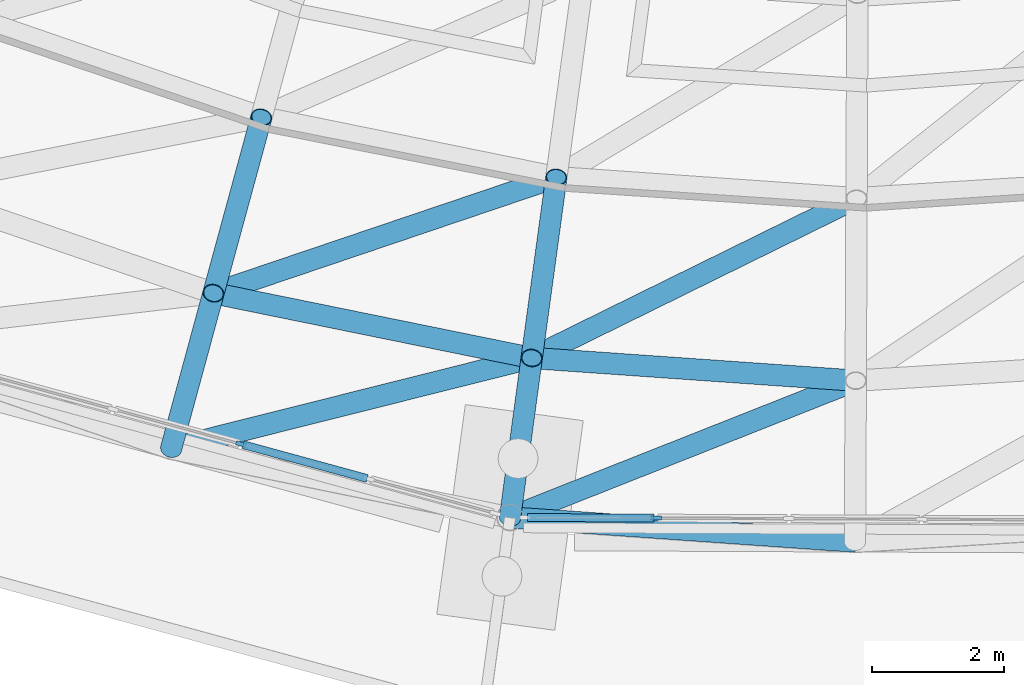
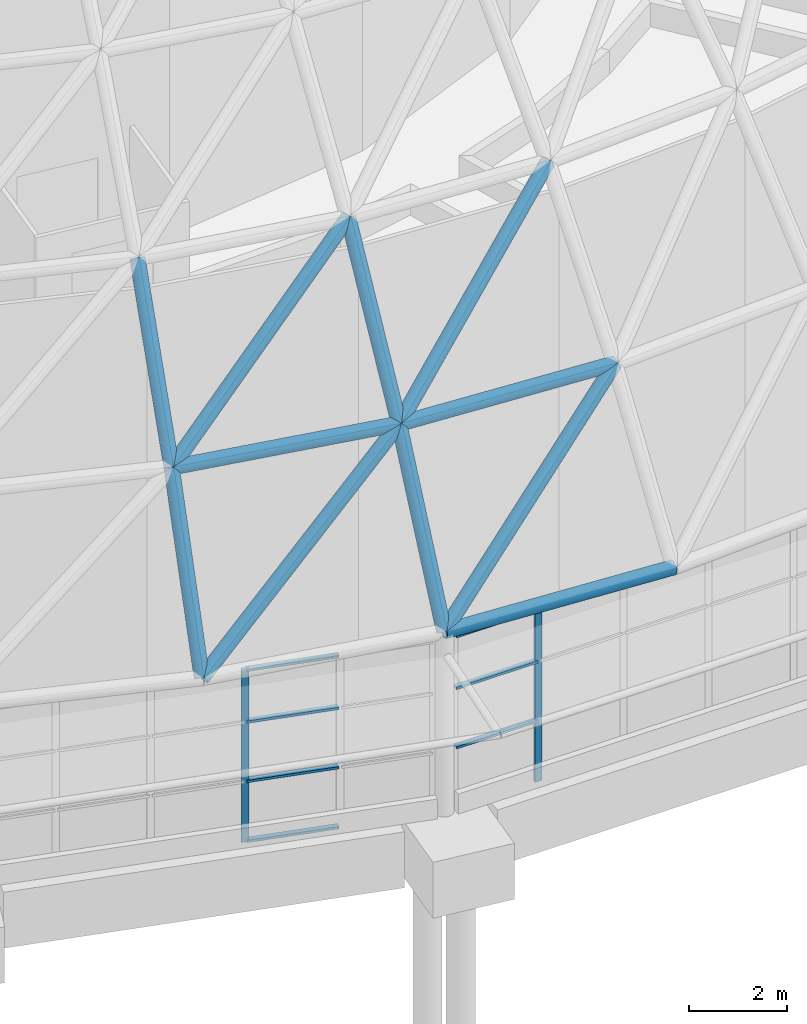
# One storey, part 59 of 226: 20 members, 2 elements without a shape of their own.
"""IFC4 building model written with IfcOpenShell, lengths in metres."""

from ifc_helpers import new_model, si_unit, direction, frame, origin, origin_2d, place, context, subcontext, project, spatial, rectangle, hollow_circle, extrude, material, material_profile, profile_set, type_object, element, aggregate, save


model = new_model("IFC4")

# Units and contexts
model_context = context("Model", 3, precision=1e-05, world=origin(), true_north=direction((0.0, 1.0)))
body_context = subcontext(model_context, "Body", "Model", "MODEL_VIEW")
ifc_project = project(units=[si_unit("LENGTHUNIT", "METRE"), si_unit("AREAUNIT", "SQUARE_METRE"), si_unit("VOLUMEUNIT", "CUBIC_METRE"), si_unit("PLANEANGLEUNIT", "RADIAN"), si_unit("MASSUNIT", "GRAM", prefix="KILO")], contexts=[model_context])

# Site, building, storey
site_placement = place(None, origin())
site = spatial("IfcSite", under=ifc_project, at=site_placement, CompositionType="ELEMENT")
building_placement = place(site_placement, origin())
building = spatial("IfcBuilding", under=site, at=building_placement, Name="Ceibo Conservatory and Research Tower", CompositionType="ELEMENT")
storey_placement = place(building_placement, origin())
storey = spatial("IfcBuildingStorey", under=building, at=storey_placement, Name="L00", CompositionType="ELEMENT", Elevation=0.0)

# Members
ifc_material_1 = material(Name="Steel ASTM A500 Gr C", Category="steel")
ifc_material_profile_1 = material_profile(ifc_material_1, hollow_circle(Radius=0.161865234375, WallThickness=0.01025390625, at=origin_2d()), Name="CHS 323.9x10.31")
ifc_profile_set_1 = profile_set([ifc_material_profile_1], Name="Steel ASTM A500 Gr C")
member_type_1 = type_object("IfcMemberType", Name="CHS 323.9x10.31", PredefinedType="NOTDEFINED", material=ifc_profile_set_1)
for number, where, z_axis, x_axis, name in (
    (1, (146.118896484375, 71.758056640625, 8.115966796875), (0.979911984231, -0.199430446925, 0.0), (0.199430446925, 0.979911984231, 0.0), "Gridshell member A-C02-34"),
    (2, (150.93408203125, 70.778076171875, 8.115966796875), (0.997560558915, -0.069806384365, 0.0), (0.069806384365, 0.997560558915, 0.0), "Gridshell member A-C02-35"),
):
    element("IfcMember", number, at=place(storey_placement, frame(where, z_axis=z_axis, x_axis=x_axis)), inside=storey, type_object=member_type_1, Name=name, PredefinedType="CHORD", context=body_context, shape_type="SweptSolid", body=[
        extrude(hollow_circle(Radius=0.161865234375, WallThickness=0.01025390625, at=origin_2d()), origin(), (0.0, 0.0, 1.0), 4.913818359375),
    ])
ifc_material_profile_2 = material_profile(ifc_material_1, hollow_circle(Radius=0.161865234375, WallThickness=0.01416015625, at=origin_2d()), Name="CHS 323.9x14.27")
ifc_profile_set_2 = profile_set([ifc_material_profile_2], Name="Steel ASTM A500 Gr C")
member_type_2 = type_object("IfcMemberType", Name="CHS 323.9x14.27", PredefinedType="NOTDEFINED", material=ifc_profile_set_2)
member_1_placement = place(storey_placement, frame((145.47900390625, 69.408935546875, 4.5), z_axis=(0.146789650644, 0.538882113124, 0.829493138379), x_axis=(-0.964844766771, 0.262820425453, 0.0)))
element("IfcMember", 3, at=member_1_placement, inside=storey, type_object=member_type_2, Name="Gridshell member A-M34-01", PredefinedType="RAFTER", context=body_context, shape_type="SweptSolid", body=[
    extrude(hollow_circle(Radius=0.161865234375, WallThickness=0.01416015625, at=origin_2d()), origin(), (0.0, 0.0, 1.0), 4.359130859375),
])
member_2_placement = place(storey_placement, frame((150.60595703125, 68.364990234375, 4.5), z_axis=(0.075265420695, 0.553514448025, 0.829431656181), x_axis=(-0.990881340725, 0.134737406104, 0.0)))
element("IfcMember", 4, at=member_2_placement, inside=storey, type_object=member_type_2, Name="Gridshell member A-M35-01", PredefinedType="RAFTER", context=body_context, shape_type="SweptSolid", body=[
    extrude(hollow_circle(Radius=0.161865234375, WallThickness=0.01416015625, at=origin_2d()), origin(), (0.0, 0.0, 1.0), 4.359619140625),
])
for number, where, z_axis, x_axis, name in (
    (5, (146.118896484375, 71.758056640625, 8.115966796875), (0.166593212939, 0.610972486053, 0.77392462339), (-0.964778108691, 0.263065012858, 0.0), "Gridshell member A-M34-02"),
    (6, (150.93408203125, 70.778076171875, 8.115966796875), (0.085536032676, 0.627488302576, 0.773913442992), (-0.990836625864, 0.13506583893, 0.0), "Gridshell member A-M35-02"),
):
    element("IfcMember", number, at=place(storey_placement, frame(where, z_axis=z_axis, x_axis=x_axis)), inside=storey, type_object=member_type_2, Name=name, PredefinedType="RAFTER", context=body_context, shape_type="SweptSolid", body=[
        extrude(hollow_circle(Radius=0.161865234375, WallThickness=0.01416015625, at=origin_2d()), origin(), (0.0, 0.0, 1.0), 4.3583984375),
    ])
ifc_material_2 = material(Name="Steel S355J2H", Category="steel")
ifc_material_profile_3 = material_profile(ifc_material_2, hollow_circle(Radius=0.161865234375, WallThickness=0.025390625, at=origin_2d()), Name="CHS 323.9x25.40")
ifc_profile_set_3 = profile_set([ifc_material_profile_3], Name="Steel S355J2H")
member_type_3 = type_object("IfcMemberType", Name="CHS 323.9x25.40", PredefinedType="NOTDEFINED", material=ifc_profile_set_3)
member_3_placement = place(storey_placement, frame((150.60595703125, 68.364990234375, 4.5), z_axis=(0.997563483444, -0.069764579115, 0.0), x_axis=(0.069764579115, 0.997563483444, 0.0)))
element("IfcMember", 7, at=member_3_placement, inside=storey, type_object=member_type_3, Name="Gridshell member A-C01-35", PredefinedType="CHORD", context=body_context, shape_type="SweptSolid", body=[
    extrude(hollow_circle(Radius=0.161865234375, WallThickness=0.025390625, at=origin_2d()), origin(), (0.0, 0.0, 1.0), 5.231689453125),
])
ifc_material_profile_4 = material_profile(ifc_material_1, hollow_circle(Radius=0.161865234375, WallThickness=0.00830078125, at=origin_2d()), Name="CHS 323.9x8.38")
ifc_profile_set_4 = profile_set([ifc_material_profile_4], Name="Steel ASTM A500 Gr C")
member_type_4 = type_object("IfcMemberType", Name="CHS 323.9x8.38", PredefinedType="NOTDEFINED", material=ifc_profile_set_4)
member_4_placement = place(storey_placement, frame((145.47900390625, 69.408935546875, 4.5), z_axis=(0.815849601308, 0.204765689408, 0.540796117301), x_axis=(-0.243434330255, 0.969917381458, 0.0)))
element("IfcMember", 8, at=member_4_placement, inside=storey, type_object=member_type_4, Name="Gridshell diagonal member A-D01-34", PredefinedType="BRACE", context=body_context, shape_type="SweptSolid", body=[
    extrude(hollow_circle(Radius=0.161865234375, WallThickness=0.00830078125, at=origin_2d()), origin(), (0.0, 0.0, 1.0), 6.686279296875),
])
member_5_placement = place(storey_placement, frame((150.60595703125, 68.364990234375, 4.5), z_axis=(0.782136768693, 0.30957602753, 0.540763125811), x_axis=(-0.368028124834, 0.929814658591, 0.0)))
element("IfcMember", 9, at=member_5_placement, inside=storey, type_object=member_type_4, Name="Gridshell diagonal member A-D01-35", PredefinedType="BRACE", context=body_context, shape_type="SweptSolid", body=[
    extrude(hollow_circle(Radius=0.161865234375, WallThickness=0.00830078125, at=origin_2d()), origin(), (0.0, 0.0, 1.0), 6.686767578125),
])
member_6_placement = place(storey_placement, frame((146.118896484375, 71.758056640625, 8.115966796875), z_axis=(0.806574062283, 0.272830793397, 0.524405987977), x_axis=(-0.320423879239, 0.947274267366, 0.0)))
element("IfcMember", 10, at=member_6_placement, inside=storey, type_object=member_type_4, Name="Gridshell diagonal member A-D02-34", PredefinedType="BRACE", context=body_context, shape_type="SweptSolid", body=[
    extrude(hollow_circle(Radius=0.161865234375, WallThickness=0.00830078125, at=origin_2d()), origin(), (0.0, 0.0, 1.0), 6.43212890625),
])
member_7_placement = place(storey_placement, frame((150.93408203125, 70.778076171875, 8.115966796875), z_axis=(0.764017085696, 0.375802113996, 0.524452727976), x_axis=(-0.441372621846, 0.897323915141, 0.0)))
element("IfcMember", 11, at=member_7_placement, inside=storey, type_object=member_type_4, Name="Gridshell diagonal member A-D02-35", PredefinedType="BRACE", context=body_context, shape_type="SweptSolid", body=[
    extrude(hollow_circle(Radius=0.161865234375, WallThickness=0.00830078125, at=origin_2d()), origin(), (0.0, 0.0, 1.0), 6.431640625),
])

# Curtain wall, member
ifc_material_3 = material(Name="Aluminium and glass", Category="aluminium")
curtain_wall_type = type_object("IfcCurtainWallType", Name="Drum curtain wall", PredefinedType="NOTDEFINED", material=ifc_material_3)
curtain_wall_1_placement = place(storey_placement, origin())
curtain_wall_1 = element("IfcCurtainWall", 12, at=curtain_wall_1_placement, inside=storey, type_object=curtain_wall_type, Name="Drum curtain wall A-CW17", PredefinedType="NOTDEFINED")
ifc_material_4 = material(Name="Aluminium", Category="aluminium")
ifc_material_profile_5 = material_profile(ifc_material_4, rectangle(XDim=0.06005859375, YDim=0.159912109375, at=origin_2d()), Name="AL 60x160")
ifc_profile_set_5 = profile_set([ifc_material_profile_5], Name="Aluminium")
member_type_5 = type_object("IfcMemberType", Name="Drum mullion 60x160", PredefinedType="MULLION", material=ifc_profile_set_5)
member_8_placement = place(storey_placement, frame((146.537109375, 69.474609375, 0.0), z_axis=(0.0, 0.0, 1.0), x_axis=(0.263031218095, 0.964787322837, 0.0)))
member_8 = element("IfcMember", 13, at=member_8_placement, type_object=member_type_5, Name="A-CW17 mullion 4", PredefinedType="MULLION", context=body_context, shape_type="SweptSolid", body=[
    extrude(rectangle(XDim=0.06005859375, YDim=0.159912109375, at=origin_2d()), origin(), (0.0, 0.0, 1.0), 4.338134765625),
])

curtain_wall_2_placement = place(storey_placement, origin())
curtain_wall_2 = element("IfcCurtainWall", 14, at=curtain_wall_2_placement, inside=storey, type_object=curtain_wall_type, Name="Drum curtain wall A-CW18", PredefinedType="NOTDEFINED")
member_9_placement = place(storey_placement, frame((152.816162109375, 68.355712890625, 0.0), z_axis=(0.0, 0.0, 1.0), x_axis=(0.004363300488, 0.999990480759, 0.0)))
member_9 = element("IfcMember", 15, at=member_9_placement, type_object=member_type_5, Name="A-CW18 mullion 2", PredefinedType="MULLION", context=body_context, shape_type="SweptSolid", body=[
    extrude(rectangle(XDim=0.06005859375, YDim=0.159912109375, at=origin_2d()), origin(), (0.0, 0.0, 1.0), 4.338134765625),
])

# Member
ifc_material_profile_6 = material_profile(ifc_material_4, rectangle(XDim=0.1201171875, YDim=0.06005859375, at=origin_2d()), Name="AL 60x120")
ifc_profile_set_6 = profile_set([ifc_material_profile_6], Name="Aluminium")
member_type_6 = type_object("IfcMemberType", Name="Drum transom 60x120", PredefinedType="USERDEFINED", material=ifc_profile_set_6)
member_10_placement = place(storey_placement, frame((146.56591796875, 69.466796875, 0.030029296875), z_axis=(0.964784071756, -0.263043142631, 0.0), x_axis=(0.263043142631, 0.964784071756, 0.0)))
member_10 = element("IfcMember", 16, at=member_10_placement, type_object=member_type_6, Name="A-CW17 transom 4.1", ObjectType="TRANSOM", PredefinedType="USERDEFINED", context=body_context, shape_type="SweptSolid", body=[
    extrude(rectangle(XDim=0.1201171875, YDim=0.06005859375, at=origin_2d()), origin(), (0.0, 0.0, 1.0), 1.947265625),
])

member_11_placement = place(storey_placement, frame((146.56591796875, 69.466796875, 1.530029296875), z_axis=(0.964784071756, -0.263043142631, 0.0), x_axis=(0.263043142631, 0.964784071756, 0.0)))
member_11 = element("IfcMember", 17, at=member_11_placement, type_object=member_type_6, Name="A-CW17 transom 4.2", ObjectType="TRANSOM", PredefinedType="USERDEFINED", context=body_context, shape_type="SweptSolid", body=[
    extrude(rectangle(XDim=0.1201171875, YDim=0.06005859375, at=origin_2d()), origin(), (0.0, 0.0, 1.0), 1.947265625),
])

member_12_placement = place(storey_placement, frame((146.56591796875, 69.466796875, 3.014892578125), z_axis=(0.964784071756, -0.263043142631, 0.0), x_axis=(0.263043142631, 0.964784071756, 0.0)))
member_12 = element("IfcMember", 18, at=member_12_placement, type_object=member_type_6, Name="A-CW17 transom 4.3", ObjectType="TRANSOM", PredefinedType="USERDEFINED", context=body_context, shape_type="SweptSolid", body=[
    extrude(rectangle(XDim=0.1201171875, YDim=0.06005859375, at=origin_2d()), origin(), (0.0, 0.0, 1.0), 1.947265625),
])

member_13_placement = place(storey_placement, frame((146.56591796875, 69.466796875, 4.30810546875), z_axis=(0.964784071756, -0.263043142631, 0.0), x_axis=(0.263043142631, 0.964784071756, 0.0)))
member_13 = element("IfcMember", 19, at=member_13_placement, type_object=member_type_6, Name="A-CW17 transom 4.4", ObjectType="TRANSOM", PredefinedType="USERDEFINED", context=body_context, shape_type="SweptSolid", body=[
    extrude(rectangle(XDim=0.1201171875, YDim=0.06005859375, at=origin_2d()), origin(), (0.0, 0.0, 1.0), 1.947265625),
])

aggregate(curtain_wall_1, [member_8, member_10, member_11, member_12, member_13])

member_14_placement = place(storey_placement, frame((150.869140625, 68.3642578125, 1.530029296875), z_axis=(0.999990627606, -0.004329515006, 0.0), x_axis=(0.004329515006, 0.999990627606, 0.0)))
member_14 = element("IfcMember", 20, at=member_14_placement, type_object=member_type_6, Name="A-CW18 transom 1.2", ObjectType="TRANSOM", PredefinedType="USERDEFINED", context=body_context, shape_type="SweptSolid", body=[
    extrude(rectangle(XDim=0.1201171875, YDim=0.06005859375, at=origin_2d()), origin(), (0.0, 0.0, 1.0), 1.917236328125),
])

member_15_placement = place(storey_placement, frame((150.869140625, 68.3642578125, 3.014892578125), z_axis=(0.999990627606, -0.004329515006, 0.0), x_axis=(0.004329515006, 0.999990627606, 0.0)))
member_15 = element("IfcMember", 21, at=member_15_placement, type_object=member_type_6, Name="A-CW18 transom 1.3", ObjectType="TRANSOM", PredefinedType="USERDEFINED", context=body_context, shape_type="SweptSolid", body=[
    extrude(rectangle(XDim=0.1201171875, YDim=0.06005859375, at=origin_2d()), origin(), (0.0, 0.0, 1.0), 1.917236328125),
])

member_16_placement = place(storey_placement, frame((150.869140625, 68.3642578125, 4.30810546875), z_axis=(0.999990627606, -0.004329515006, 0.0), x_axis=(0.004329515006, 0.999990627606, 0.0)))
member_16 = element("IfcMember", 22, at=member_16_placement, type_object=member_type_6, Name="A-CW18 transom 1.4", ObjectType="TRANSOM", PredefinedType="USERDEFINED", context=body_context, shape_type="SweptSolid", body=[
    extrude(rectangle(XDim=0.1201171875, YDim=0.06005859375, at=origin_2d()), origin(), (0.0, 0.0, 1.0), 1.917236328125),
])

aggregate(curtain_wall_2, [member_9, member_14, member_15, member_16])

save(model, "model.ifc")
